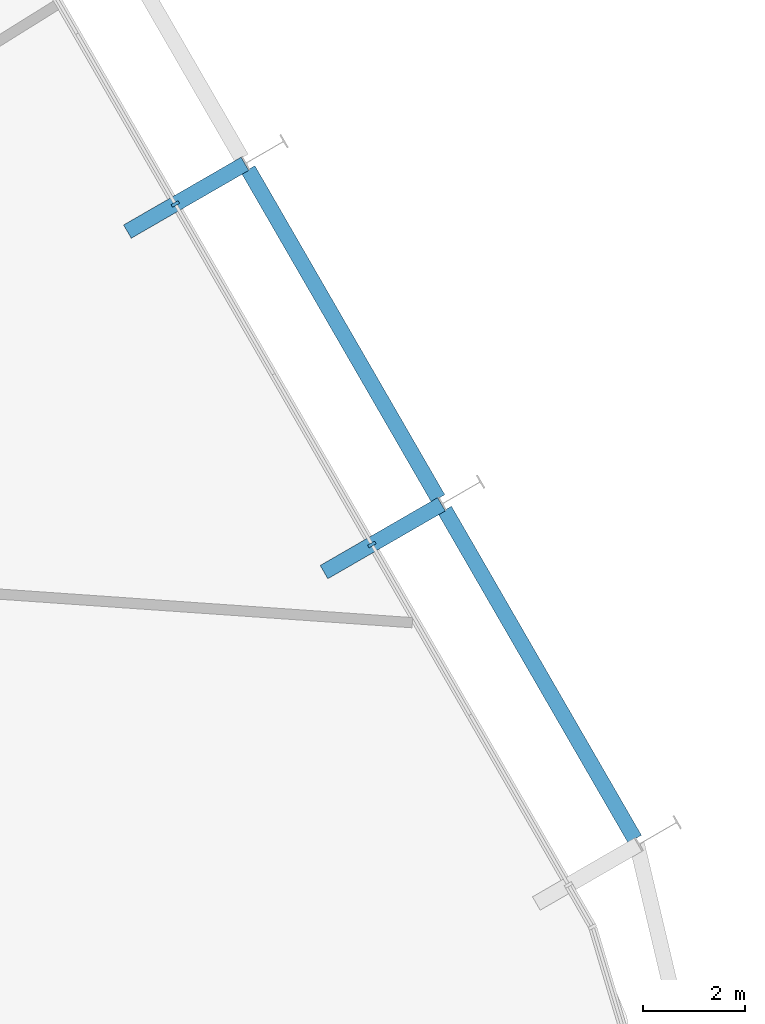
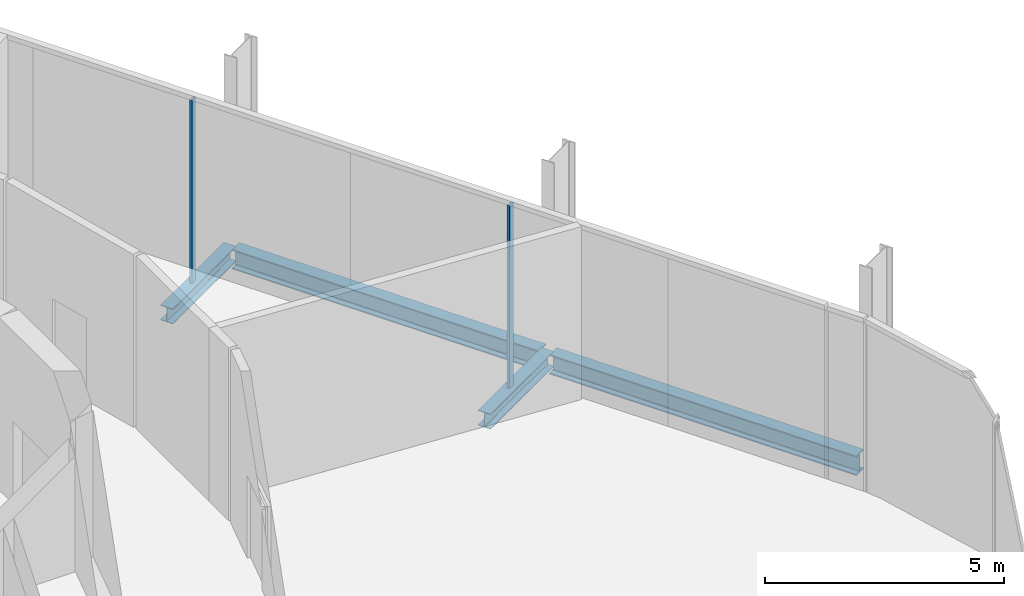
# One storey, part 7 of 17: 4 beams, 2 members, 1 element without a shape of its own.
"""IFC4 building model written with IfcOpenShell, lengths in metres."""

import ifcopenshell
import ifcopenshell.guid

model = None  # the IFC model being written
_history = None  # IfcOwnerHistory: only IFC2X3 demands one
_inside = {}  # id of a spatial element -> (the spatial element, [elements in it])
_under = {}  # id of a project, library or spatial element -> (it, [spatial elements below it])
_declared = {}  # id of a project -> (the project, [libraries it declares])
_typed = {}  # id of a type object -> (the type object, [elements of that type])
_made_of = {}  # id of a material, layer set ... -> (it, [elements and type objects made of it])


def new_model(schema):
    """Start an empty IFC model of exactly this schema.

    Asked for "IFC4X3", IfcOpenShell would pick the latest addendum, in which some entities
    have other attributes; the version numbers below select the first issue.
    IFC2X3 requires an IfcOwnerHistory on every rooted entity: one is made here for all.
    """
    global model, _history
    if schema == "IFC4X3":
        model = ifcopenshell.file(schema_version=(4, 3, 0, 0))
    else:
        model = ifcopenshell.file(schema=schema)
    _inside.clear()
    _under.clear()
    _declared.clear()
    _typed.clear()
    _made_of.clear()
    _history = None
    if model.schema == "IFC2X3":
        org = make("IfcOrganization", Name="unknown")
        user = make(
            "IfcPersonAndOrganization",
            ThePerson=make("IfcPerson", FamilyName="unknown"),
            TheOrganization=org,
        )
        app = make(
            "IfcApplication",
            ApplicationDeveloper=org,
            Version="unknown",
            ApplicationFullName="unknown",
            ApplicationIdentifier="unknown",
        )
        _history = make(
            "IfcOwnerHistory",
            OwningUser=user,
            OwningApplication=app,
            ChangeAction="ADDED",
            CreationDate=0,
        )
    return model


def make(cls, **values):
    """One entity of the class cls with the attributes given. An attribute that is None is left unset."""
    return model.create_entity(
        cls, **{name: value for name, value in values.items() if value is not None}
    )


def rooted(cls, **values):
    """An entity with a GlobalId (a new one), such as an element, a storey or a relation."""
    return make(cls, GlobalId=ifcopenshell.guid.new(), OwnerHistory=_history, **values)


def si_unit(unit_type, name, prefix=None):
    """IfcSIUnit, for example si_unit("LENGTHUNIT", "METRE", prefix="MILLI")."""
    return make("IfcSIUnit", UnitType=unit_type, Prefix=prefix, Name=name)


def assignment(units):
    """IfcUnitAssignment: the units of a project."""
    return None if units is None else make("IfcUnitAssignment", Units=units)


def point(xyz):
    """IfcCartesianPoint."""
    return None if xyz is None else make("IfcCartesianPoint", Coordinates=xyz)


def direction(xyz):
    """IfcDirection."""
    return None if xyz is None else make("IfcDirection", DirectionRatios=xyz)


def frame(location, z_axis=None, x_axis=None):
    """IfcAxis2Placement3D, a coordinate frame: its origin and axes. An axis left out is left unset."""
    return make(
        "IfcAxis2Placement3D",
        Location=point(location),
        Axis=direction(z_axis),
        RefDirection=direction(x_axis),
    )


def frame_2d(location, x_axis=None):
    """IfcAxis2Placement2D, a coordinate frame in the plane: its origin and x axis."""
    return make(
        "IfcAxis2Placement2D", Location=point(location), RefDirection=direction(x_axis)
    )


def origin():
    """The frame at (0, 0, 0) with its axes left unset."""
    return frame((0.0, 0.0, 0.0))


def origin_2d():
    """The frame at (0, 0) in the plane with its x axis left unset."""
    return frame_2d((0.0, 0.0))


def place(relative_to, where):
    """IfcLocalPlacement: puts the frame where relative to a parent placement (None: the world)."""
    return make(
        "IfcLocalPlacement", PlacementRelTo=relative_to, RelativePlacement=where
    )


def context(
    kind, dimensions, precision=None, world=None, true_north=None, identifier=None
):
    """IfcGeometricRepresentationContext, for example the 3D "Model" context."""
    return make(
        "IfcGeometricRepresentationContext",
        ContextIdentifier=identifier,
        ContextType=kind,
        CoordinateSpaceDimension=dimensions,
        Precision=precision,
        WorldCoordinateSystem=world,
        TrueNorth=true_north,
    )


def subcontext(parent, identifier, kind, view, scale=None):
    """IfcGeometricRepresentationSubContext, for example "Body" below "Model"."""
    return make(
        "IfcGeometricRepresentationSubContext",
        ContextIdentifier=identifier,
        ContextType=kind,
        ParentContext=parent,
        TargetScale=scale,
        TargetView=view,
    )


def project(units=None, contexts=None):
    """IfcProject with its units and contexts."""
    return rooted(
        "IfcProject",
        Name="project",
        RepresentationContexts=contexts,
        UnitsInContext=assignment(units),
    )


def spatial(cls, under=None, at=None, **own):
    """A site, building, storey or space (cls), placed at a placement, below another one or the project."""
    s = rooted(cls, ObjectPlacement=at, **own)
    if under is not None:
        _under.setdefault(under.id(), (under, []))[1].append(s)
    return s


def profile(cls, at=None, kind="AREA", **sizes):
    """A parametric profile (cls). Its sizes go by their IFC names, for example OverallWidth=200.0."""
    return make(cls, ProfileType=kind, Position=at, **sizes)


def rectangle(**sizes):
    """IfcRectangleProfileDef."""
    return profile("IfcRectangleProfileDef", **sizes)


def i_section(**sizes):
    """IfcIShapeProfileDef."""
    return profile("IfcIShapeProfileDef", **sizes)


def extrude(swept, where, along, depth):
    """IfcExtrudedAreaSolid: the profile swept, set in the frame where, extruded along a direction by depth."""
    return make(
        "IfcExtrudedAreaSolid",
        SweptArea=swept,
        Position=where,
        ExtrudedDirection=direction(along),
        Depth=depth,
    )


def shape(context_of_items, identifier, shape_type, items):
    """IfcShapeRepresentation: the items that make up one representation, for example the "Body"."""
    return make(
        "IfcShapeRepresentation",
        ContextOfItems=context_of_items,
        RepresentationIdentifier=identifier,
        RepresentationType=shape_type,
        Items=items,
    )


def material(Name=None, Category=None):
    """IfcMaterial."""
    return make("IfcMaterial", Name=Name, Category=Category)


def layer(
    of_material, thickness, ventilated=None, Name=None, Category=None, Priority=None
):
    """IfcMaterialLayer: one layer of a wall or slab, of a material (None: an air gap)."""
    return make(
        "IfcMaterialLayer",
        Material=of_material,
        LayerThickness=thickness,
        IsVentilated=ventilated,
        Name=Name,
        Category=Category,
        Priority=Priority,
    )


def layer_set(layers, Name=None):
    """IfcMaterialLayerSet."""
    return make("IfcMaterialLayerSet", MaterialLayers=layers, LayerSetName=Name)


def material_profile(
    of_material, cross_section, Name=None, Category=None, Priority=None
):
    """IfcMaterialProfile: a cross section and its material."""
    return make(
        "IfcMaterialProfile",
        Name=Name,
        Material=of_material,
        Profile=cross_section,
        Priority=Priority,
        Category=Category,
    )


def profile_set(profiles, Name=None, composite=None):
    """IfcMaterialProfileSet."""
    return make(
        "IfcMaterialProfileSet",
        Name=Name,
        MaterialProfiles=profiles,
        CompositeProfile=composite,
    )


def made_of(thing, what):
    """Note that an element or type object is made of a material, layer set ...; save() writes the relation."""
    if what is not None:
        _made_of.setdefault(what.id(), (what, []))[1].append(thing)
    return thing


def type_object(cls, material=None, **own):
    """A type object (cls), such as IfcWallType, which elements share."""
    return made_of(rooted(cls, **own), material)


def element(
    cls,
    number,
    at=None,
    inside=None,
    cuts=None,
    type_object=None,
    material=None,
    context=None,
    identifier="Body",
    shape_type=None,
    held_by="IfcProductDefinitionShape",
    body=None,
    shapes=None,
    **own,
):
    """One element of the class cls, such as IfcWall. Its Tag is "e" and its number.

    at: its placement. inside: the storey or other place that contains it. cuts: it is an
    opening in that element (IfcRelVoidsElement). A single representation is given by context,
    identifier, shape_type and body (its items); several are given by shapes. held_by: the class
    of the entity that holds the representations. save() writes the other relations.
    """
    e = rooted(cls, Tag="e%d" % number, ObjectPlacement=at, **own)
    if body is not None:
        shapes = [shape(context, identifier, shape_type, body)]
    if shapes is not None:
        e.Representation = make(held_by, Representations=shapes)
    if inside is not None:
        _inside.setdefault(inside.id(), (inside, []))[1].append(e)
    if cuts is not None:
        rooted(
            "IfcRelVoidsElement", RelatingBuildingElement=cuts, RelatedOpeningElement=e
        )
    if type_object is not None:
        _typed.setdefault(type_object.id(), (type_object, []))[1].append(e)
    return made_of(e, material)


def aggregate(whole, parts):
    """IfcRelAggregates: a whole, such as a stair, and the parts it consists of."""
    return rooted("IfcRelAggregates", RelatingObject=whole, RelatedObjects=parts)


def save(model, path):
    """Write the relations noted so far, then the file.

    IfcRelAggregates (storeys below a building ...), IfcRelContainedInSpatialStructure (elements
    in a storey), IfcRelDefinesByType, IfcRelAssociatesMaterial and IfcRelDeclares: one each for
    every whole, place, type object, material and project.
    """
    for whole, parts in _under.values():
        aggregate(whole, parts)
    for where, things in _inside.values():
        rooted(
            "IfcRelContainedInSpatialStructure",
            RelatedElements=things,
            RelatingStructure=where,
        )
    for kind, things in _typed.values():
        rooted("IfcRelDefinesByType", RelatedObjects=things, RelatingType=kind)
    for what, things in _made_of.values():
        rooted("IfcRelAssociatesMaterial", RelatedObjects=things, RelatingMaterial=what)
    for by, libraries in _declared.values():
        rooted("IfcRelDeclares", RelatingContext=by, RelatedDefinitions=libraries)
    model.write(path)


model = new_model("IFC4")

# Units and contexts
model_context = context("Model", 3, precision=1e-05, world=origin(), true_north=direction((0.0, 1.0)))
body_context = subcontext(model_context, "Body", "Model", "MODEL_VIEW")
ifc_project = project(units=[si_unit("LENGTHUNIT", "METRE"), si_unit("AREAUNIT", "SQUARE_METRE"), si_unit("VOLUMEUNIT", "CUBIC_METRE"), si_unit("PLANEANGLEUNIT", "RADIAN"), si_unit("MASSUNIT", "GRAM", prefix="KILO")], contexts=[model_context])

# Site, building, storey
site_placement = place(None, origin())
site = spatial("IfcSite", under=ifc_project, at=site_placement, CompositionType="ELEMENT")
building_placement = place(site_placement, origin())
building = spatial("IfcBuilding", under=site, at=building_placement, Name="Spindle Arch Residences", CompositionType="ELEMENT")
storey_placement = place(building_placement, frame((0.0, 0.0, 13.800048828125)))
storey = spatial("IfcBuildingStorey", under=building, at=storey_placement, Name="L02", CompositionType="ELEMENT", Elevation=13.800048828125)

# Curtain wall, members
ifc_material_1 = material(Name="Aluminium bronze unitised frame with tinted glass", Category="aluminium")
ifc_layer = layer(ifc_material_1, 0.159912109375)
ifc_layer_set = layer_set([ifc_layer], Name="CW-B amenity podium glazed wall")
curtain_wall_type = type_object("IfcCurtainWallType", Name="CW-B amenity podium glazed wall", PredefinedType="NOTDEFINED", material=ifc_layer_set)
curtain_wall_placement = place(storey_placement, origin())
curtain_wall = element("IfcCurtainWall", 1, at=curtain_wall_placement, inside=storey, type_object=curtain_wall_type, Name="CW-B L02 run 2", PredefinedType="NOTDEFINED")
ifc_material_2 = material(Name="Aluminium bronze anodised mullion", Category="aluminium")
ifc_material_profile_1 = material_profile(ifc_material_2, rectangle(XDim=0.159912109375, YDim=0.06005859375, at=origin_2d()), Name="MU 60x160")
ifc_profile_set_1 = profile_set([ifc_material_profile_1], Name="Aluminium bronze anodised mullion")
member_type = type_object("IfcMemberType", Name="Bronze mullion 60x160", PredefinedType="MULLION", material=ifc_profile_set_1)
member_1_placement = place(storey_placement, frame((22.829345703125, -0.121826171875, -0.380126953125), z_axis=(0.0, 0.0, 1.0), x_axis=(-0.866025403784, -0.5, 0.0)))
member_1 = element("IfcMember", 2, at=member_1_placement, type_object=member_type, Name="CW-B mullion 06", PredefinedType="MULLION", context=body_context, shape_type="SweptSolid", body=[
    extrude(rectangle(XDim=0.159912109375, YDim=0.06005859375, at=origin_2d()), origin(), (0.0, 0.0, 1.0), 4.68017578125),
])
member_2_placement = place(storey_placement, frame((18.9892578125, 6.529296875, -0.380126953125), z_axis=(0.0, 0.0, 1.0), x_axis=(-0.866025403784, -0.5, 0.0)))
member_2 = element("IfcMember", 3, at=member_2_placement, type_object=member_type, Name="CW-B mullion 07", PredefinedType="MULLION", context=body_context, shape_type="SweptSolid", body=[
    extrude(rectangle(XDim=0.159912109375, YDim=0.06005859375, at=origin_2d()), origin(), (0.0, 0.0, 1.0), 4.68017578125),
])
aggregate(curtain_wall, [member_1, member_2])

# Beams
ifc_material_3 = material(Name="Steel S460ML, intumescent coating R 120", Category="steel")
ifc_material_profile_2 = material_profile(ifc_material_3, i_section(OverallWidth=0.300048828125, OverallDepth=0.5, WebThickness=0.014404296875, FlangeThickness=0.028076171875, FilletRadius=0.027099609375, at=origin_2d()), Name="HEB 500")
ifc_profile_set_2 = profile_set([ifc_material_profile_2], Name="Steel S460ML, intumescent coating R 120")
beam_type_1 = type_object("IfcBeamType", Name="Exoskeleton edge beam HEB 500", PredefinedType="BEAM", material=ifc_profile_set_2)
beam_1_placement = place(storey_placement, frame((27.964111328125, -5.875244140625, -0.630126953125), z_axis=(-0.50002815445, 0.866009148195, 0.0), x_axis=(-0.866009148195, -0.50002815445, 0.0)))
element("IfcBeam", 4, at=beam_1_placement, inside=storey, type_object=beam_type_1, Name="Exoskeleton edge beam 6", PredefinedType="BEAM", context=body_context, shape_type="SweptSolid", body=[
    extrude(i_section(OverallWidth=0.300048828125, OverallDepth=0.5, WebThickness=0.014404296875, FlangeThickness=0.028076171875, FilletRadius=0.027099609375, at=origin_2d()), origin(), (0.0, 0.0, 1.0), 7.419921875),
])
beam_2_placement = place(storey_placement, frame((24.1240234375, 0.77587890625, -0.630126953125), z_axis=(-0.49998923004, 0.866031621735, 0.0), x_axis=(-0.866031621735, -0.49998923004, 0.0)))
element("IfcBeam", 5, at=beam_2_placement, inside=storey, type_object=beam_type_1, Name="Exoskeleton edge beam 7", PredefinedType="BEAM", context=body_context, shape_type="SweptSolid", body=[
    extrude(i_section(OverallWidth=0.300048828125, OverallDepth=0.5, WebThickness=0.014404296875, FlangeThickness=0.028076171875, FilletRadius=0.027099609375, at=origin_2d()), origin(), (0.0, 0.0, 1.0), 7.420166015625),
])
ifc_material_4 = material(Name="Steel S460ML, intumescent coating R 120", Category="steel")
ifc_material_profile_3 = material_profile(ifc_material_4, i_section(OverallWidth=0.300048828125, OverallDepth=0.389892578125, WebThickness=0.010986328125, FlangeThickness=0.01904296875, FilletRadius=0.027099609375, at=origin_2d()), Name="HEA 400")
ifc_profile_set_3 = profile_set([ifc_material_profile_3], Name="Steel S460ML, intumescent coating R 120")
beam_type_2 = type_object("IfcBeamType", Name="Floor outrigger HEA 400", PredefinedType="BEAM", material=ifc_profile_set_3)
beam_3_placement = place(storey_placement, frame((24.18896484375, 0.6630859375, -0.574951171875), z_axis=(-0.866029095148, -0.499993606316, 0.0), x_axis=(0.499993606316, -0.866029095148, 0.0)))
element("IfcBeam", 6, at=beam_3_placement, inside=storey, type_object=beam_type_2, Name="Floor outrigger 7", PredefinedType="BEAM", context=body_context, shape_type="SweptSolid", body=[
    extrude(i_section(OverallWidth=0.300048828125, OverallDepth=0.389892578125, WebThickness=0.010986328125, FlangeThickness=0.01904296875, FilletRadius=0.027099609375, at=origin_2d()), origin(), (0.0, 0.0, 1.0), 2.64990234375),
])
beam_4_placement = place(storey_placement, frame((20.34912109375, 7.314453125, -0.574951171875), z_axis=(-0.866052124492, -0.499953715521, 0.0), x_axis=(0.499953715521, -0.866052124492, 0.0)))
element("IfcBeam", 7, at=beam_4_placement, inside=storey, type_object=beam_type_2, Name="Floor outrigger 8", PredefinedType="BEAM", context=body_context, shape_type="SweptSolid", body=[
    extrude(i_section(OverallWidth=0.300048828125, OverallDepth=0.389892578125, WebThickness=0.010986328125, FlangeThickness=0.01904296875, FilletRadius=0.027099609375, at=origin_2d()), origin(), (0.0, 0.0, 1.0), 2.650146484375),
])

save(model, "model.ifc")
